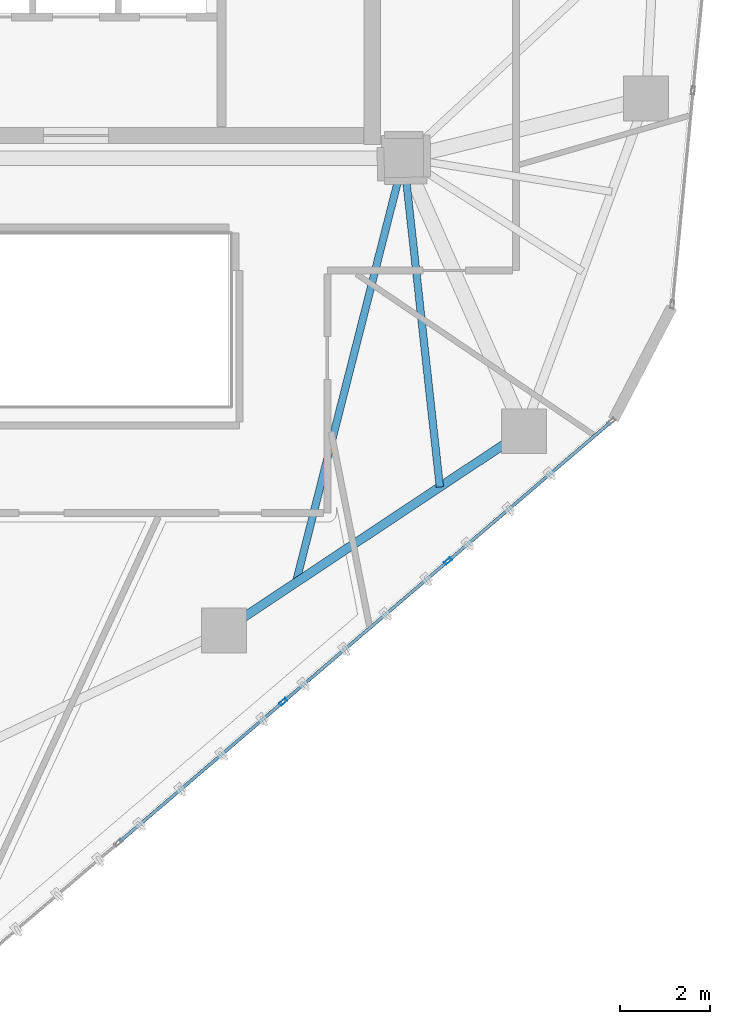
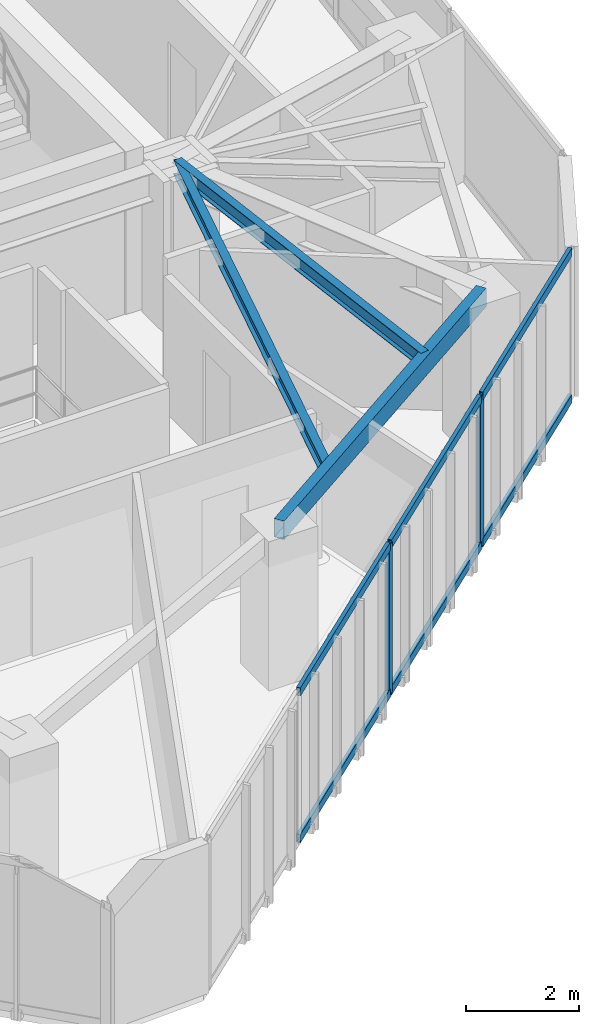
# One storey, part 5 of 21: 8 members, 3 beams, 1 element without a shape of its own.
"""IFC4 building model written with IfcOpenShell, lengths in metres."""

from ifc_helpers import new_model, si_unit, direction, frame, origin, origin_2d, place, context, subcontext, project, spatial, hollow_rectangle, i_section, extrude, source, transform, mapped, material, layer, layer_set, material_profile, profile_set, type_object, type_shapes, element, aggregate, save


model = new_model("IFC4")

# Units and contexts
model_context = context("Model", 3, precision=1e-05, world=origin(), true_north=direction((0.0, 1.0)))
body_context = subcontext(model_context, "Body", "Model", "MODEL_VIEW")
ifc_project = project(units=[si_unit("LENGTHUNIT", "METRE"), si_unit("AREAUNIT", "SQUARE_METRE"), si_unit("VOLUMEUNIT", "CUBIC_METRE"), si_unit("PLANEANGLEUNIT", "RADIAN"), si_unit("MASSUNIT", "GRAM", prefix="KILO")], contexts=[model_context])

# Site, building, storey
site_placement = place(None, origin())
site = spatial("IfcSite", under=ifc_project, at=site_placement, CompositionType="ELEMENT")
building_placement = place(site_placement, origin())
building = spatial("IfcBuilding", under=site, at=building_placement, Name="Talar Marvaseh", CompositionType="ELEMENT")
storey_placement = place(building_placement, frame((0.0, 0.0, 225.699951171875)))
storey = spatial("IfcBuildingStorey", under=building, at=storey_placement, Name="L59", CompositionType="ELEMENT", Elevation=225.699951171875)

# Beams
ifc_material_1 = material(Name="Steel S355", Category="steel")
ifc_material_profile_1 = material_profile(ifc_material_1, hollow_rectangle(XDim=0.199951171875, YDim=0.39990234375, WallThickness=0.013916015625, at=origin_2d()), Name="RHS400x200x14")
ifc_profile_set_1 = profile_set([ifc_material_profile_1], Name="Steel S355")
beam_type_1 = type_object("IfcBeamType", Name="Zone 3 Perimeter Spandrel Beam RHS400x200x14", PredefinedType="SPANDREL", material=ifc_profile_set_1)
beam_1_placement = place(storey_placement, frame((35.970947265625, 19.423095703125, 3.030029296875), z_axis=(-0.833127464163, -0.553081032452, 0.0), x_axis=(0.553081032452, -0.833127464163, 0.0)))
element("IfcBeam", 1, at=beam_1_placement, inside=storey, type_object=beam_type_1, Name="L59 Zone 3 Perimeter Spandrel Beam RHS400x200x14", PredefinedType="SPANDREL", context=body_context, shape_type="SweptSolid", body=[
    extrude(hollow_rectangle(XDim=0.199951171875, YDim=0.39990234375, WallThickness=0.013916015625, at=origin_2d()), origin(), (0.0, 0.0, 1.0), 8.00830078125),
])
ifc_material_profile_2 = material_profile(ifc_material_1, i_section(OverallWidth=0.166015625, OverallDepth=0.31298828125, WebThickness=0.006591796875, FlangeThickness=0.01123046875, at=origin_2d()), Name="W310x45")
ifc_profile_set_2 = profile_set([ifc_material_profile_2], Name="Steel S355")
beam_type_2 = type_object("IfcBeamType", Name="Zone 3 Secondary Floor Joist W310x45", PredefinedType="JOIST", material=ifc_profile_set_2)
beam_2_placement = place(storey_placement, frame((34.102783203125, 18.182861328125, 3.073486328125), z_axis=(-0.109051770147, 0.994036071492, 0.0), x_axis=(-0.994036071492, -0.109051770147, 0.0)))
element("IfcBeam", 2, at=beam_2_placement, inside=storey, type_object=beam_type_2, Name="L59 Zone 3 Secondary Floor Joist W310x45", PredefinedType="JOIST", context=body_context, shape_type="SweptSolid", body=[
    extrude(i_section(OverallWidth=0.166015625, OverallDepth=0.31298828125, WebThickness=0.006591796875, FlangeThickness=0.01123046875, at=origin_2d()), origin(), (0.0, 0.0, 1.0), 7.361083984375),
])
beam_3_placement = place(storey_placement, frame((30.900390625, 16.056884765625, 3.073486328125), z_axis=(0.246289474123, 0.96919631393, 0.0), x_axis=(-0.96919631393, 0.246289474123, 0.0)))
element("IfcBeam", 3, at=beam_3_placement, inside=storey, type_object=beam_type_2, Name="L59 Zone 3 Secondary Floor Joist W310x45", PredefinedType="JOIST", context=body_context, shape_type="SweptSolid", body=[
    extrude(i_section(OverallWidth=0.166015625, OverallDepth=0.31298828125, WebThickness=0.006591796875, FlangeThickness=0.01123046875, at=origin_2d()), origin(), (0.0, 0.0, 1.0), 9.7431640625),
])

# Curtain wall, members
ifc_material_2 = material(Name="Architectural Aluminium", Category="aluminium")
ifc_layer = layer(ifc_material_2, 0.18994140625)
ifc_layer_set = layer_set([ifc_layer], Name="Architectural Aluminium")
curtain_wall_type = type_object("IfcCurtainWallType", Name="Unitised Solar Atelier Curtain Wall Z3", PredefinedType="NOTDEFINED", material=ifc_layer_set)
curtain_wall_placement = place(storey_placement, origin())
curtain_wall = element("IfcCurtainWall", 4, at=curtain_wall_placement, inside=storey, type_object=curtain_wall_type, Name="L59 Unitised Solar Atelier Curtain Wall Z3", PredefinedType="NOTDEFINED")
ifc_material_profile_3 = material_profile(ifc_material_2, hollow_rectangle(XDim=0.074951171875, YDim=0.179931640625, WallThickness=0.0048828125, at=origin_2d()), Name="RHS180x75x5")
ifc_profile_set_3 = profile_set([ifc_material_profile_3], Name="Architectural Aluminium")
member_type_1 = type_object("IfcMemberType", Name="Unitised Curtain Wall Standard Mullion RHS180x75x5", PredefinedType="MULLION", material=ifc_profile_set_3)
shared_shape_1 = source(origin(), body_context, "Body", "SweptSolid", [
    extrude(hollow_rectangle(XDim=0.074951171875, YDim=0.179931640625, WallThickness=0.0048828125, at=origin_2d()), origin(), (0.0, 0.0, 1.0), 3.22998046875),
])
type_shapes(member_type_1, [shared_shape_1])
member_1_placement = place(storey_placement, frame((34.283203125, 16.53515625, 0.0), z_axis=(0.0, 0.0, 1.0), x_axis=(0.649564719149, -0.760306303826, 0.0)))
member_1 = element("IfcMember", 5, at=member_1_placement, type_object=member_type_1, Name="CW-Z3 mullion 2", PredefinedType="MULLION", context=body_context, shape_type="MappedRepresentation", body=[
    mapped(shared_shape_1, transform((0.0, 0.0, 0.0), x_axis=(1.0, 0.0, 0.0), y_axis=(0.0, 1.0, 0.0), z_axis=(0.0, 0.0, 1.0), scale=1.0)),
])
member_2_placement = place(storey_placement, frame((30.616943359375, 13.40283203125, 0.0), z_axis=(0.0, 0.0, 1.0), x_axis=(0.649564719149, -0.760306303826, 0.0)))
member_2 = element("IfcMember", 6, at=member_2_placement, type_object=member_type_1, Name="CW-Z3 mullion 3", PredefinedType="MULLION", context=body_context, shape_type="MappedRepresentation", body=[
    mapped(shared_shape_1, transform((0.0, 0.0, 0.0), x_axis=(1.0, 0.0, 0.0), y_axis=(0.0, 1.0, 0.0), z_axis=(0.0, 0.0, 1.0), scale=1.0)),
])
ifc_material_profile_4 = material_profile(ifc_material_2, hollow_rectangle(XDim=0.074951171875, YDim=0.179931640625, WallThickness=0.0048828125, at=origin_2d()), Name="RHS180x75x5")
ifc_profile_set_4 = profile_set([ifc_material_profile_4], Name="Architectural Aluminium")
member_type_2 = type_object("IfcMemberType", Name="Unitised Curtain Wall Transom RHS180x75x5", PredefinedType="USERDEFINED", material=ifc_profile_set_4)
shared_shape_2 = source(origin(), body_context, "Body", "SweptSolid", [
    extrude(hollow_rectangle(XDim=0.074951171875, YDim=0.179931640625, WallThickness=0.0048828125, at=origin_2d()), origin(), (0.0, 0.0, 1.0), 4.7470703125),
])
member_3_placement = place(storey_placement, frame((34.2548828125, 16.5107421875, 0.03759765625), z_axis=(-0.760322879475, -0.649545317084, 0.0), x_axis=(0.649545317084, -0.760322879475, 0.0)))
member_3 = element("IfcMember", 7, at=member_3_placement, type_object=member_type_2, Name="CW-Z3 transom 2.1", ObjectType="TRANSOM", PredefinedType="USERDEFINED", context=body_context, shape_type="MappedRepresentation", body=[
    mapped(shared_shape_2, transform((0.0, 0.0, 0.0), x_axis=(1.0, 0.0, 0.0), y_axis=(0.0, 1.0, 0.0), z_axis=(0.0, 0.0, 1.0), scale=1.0)),
])
member_4_placement = place(storey_placement, frame((34.2548828125, 16.5107421875, 3.192626953125), z_axis=(-0.760322879475, -0.649545317084, 0.0), x_axis=(0.649545317084, -0.760322879475, 0.0)))
member_4 = element("IfcMember", 8, at=member_4_placement, type_object=member_type_2, Name="CW-Z3 transom 2.2", ObjectType="TRANSOM", PredefinedType="USERDEFINED", context=body_context, shape_type="MappedRepresentation", body=[
    mapped(shared_shape_2, transform((0.0, 0.0, 0.0), x_axis=(1.0, 0.0, 0.0), y_axis=(0.0, 1.0, 0.0), z_axis=(0.0, 0.0, 1.0), scale=1.0)),
])
member_5_placement = place(storey_placement, frame((30.588623046875, 13.37841796875, 0.03759765625), z_axis=(-0.760322879475, -0.649545317084, 0.0), x_axis=(0.649545317084, -0.760322879475, 0.0)))
member_5 = element("IfcMember", 9, at=member_5_placement, type_object=member_type_2, Name="CW-Z3 transom 3.1", ObjectType="TRANSOM", PredefinedType="USERDEFINED", context=body_context, shape_type="MappedRepresentation", body=[
    mapped(shared_shape_2, transform((0.0, 0.0, 0.0), x_axis=(1.0, 0.0, 0.0), y_axis=(0.0, 1.0, 0.0), z_axis=(0.0, 0.0, 1.0), scale=1.0)),
])
member_6_placement = place(storey_placement, frame((30.588623046875, 13.37841796875, 3.192626953125), z_axis=(-0.760322879475, -0.649545317084, 0.0), x_axis=(0.649545317084, -0.760322879475, 0.0)))
member_6 = element("IfcMember", 10, at=member_6_placement, type_object=member_type_2, Name="CW-Z3 transom 3.2", ObjectType="TRANSOM", PredefinedType="USERDEFINED", context=body_context, shape_type="MappedRepresentation", body=[
    mapped(shared_shape_2, transform((0.0, 0.0, 0.0), x_axis=(1.0, 0.0, 0.0), y_axis=(0.0, 1.0, 0.0), z_axis=(0.0, 0.0, 1.0), scale=1.0)),
])
shared_shape_3 = source(origin(), body_context, "Body", "SweptSolid", [
    extrude(hollow_rectangle(XDim=0.074951171875, YDim=0.179931640625, WallThickness=0.0048828125, at=origin_2d()), origin(), (0.0, 0.0, 1.0), 4.709716796875),
])
type_shapes(member_type_2, [shared_shape_2, shared_shape_3])
member_7_placement = place(storey_placement, frame((37.892578125, 19.61865234375, 0.03759765625), z_axis=(-0.760298473161, -0.649573884719, 0.0), x_axis=(0.649573884719, -0.760298473161, 0.0)))
member_7 = element("IfcMember", 11, at=member_7_placement, type_object=member_type_2, Name="CW-Z3 transom 1.1", ObjectType="TRANSOM", PredefinedType="USERDEFINED", context=body_context, shape_type="MappedRepresentation", body=[
    mapped(shared_shape_3, transform((0.0, 0.0, 0.0), x_axis=(1.0, 0.0, 0.0), y_axis=(0.0, 1.0, 0.0), z_axis=(0.0, 0.0, 1.0), scale=1.0)),
])
member_8_placement = place(storey_placement, frame((37.892578125, 19.61865234375, 3.192626953125), z_axis=(-0.760298473161, -0.649573884719, 0.0), x_axis=(0.649573884719, -0.760298473161, 0.0)))
member_8 = element("IfcMember", 12, at=member_8_placement, type_object=member_type_2, Name="CW-Z3 transom 1.2", ObjectType="TRANSOM", PredefinedType="USERDEFINED", context=body_context, shape_type="MappedRepresentation", body=[
    mapped(shared_shape_3, transform((0.0, 0.0, 0.0), x_axis=(1.0, 0.0, 0.0), y_axis=(0.0, 1.0, 0.0), z_axis=(0.0, 0.0, 1.0), scale=1.0)),
])
aggregate(curtain_wall, [member_1, member_2, member_7, member_8, member_3, member_4, member_5, member_6])

save(model, "model.ifc")
